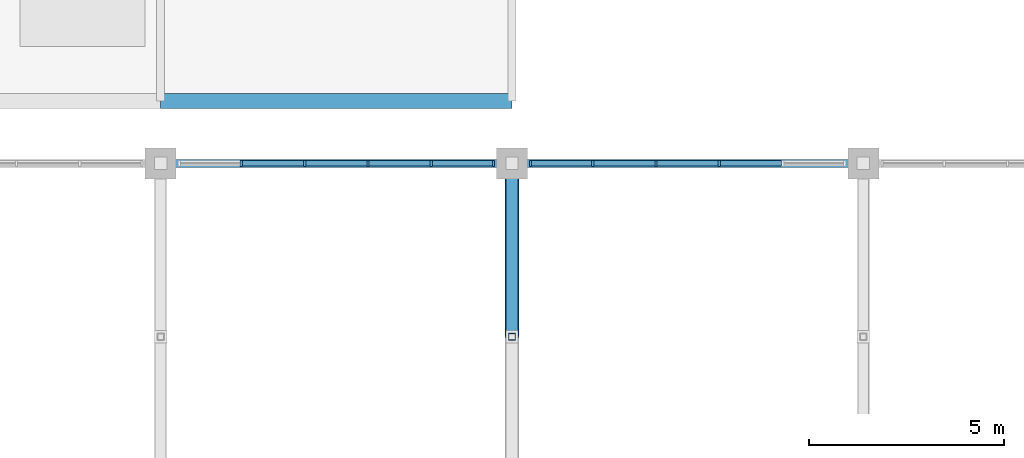
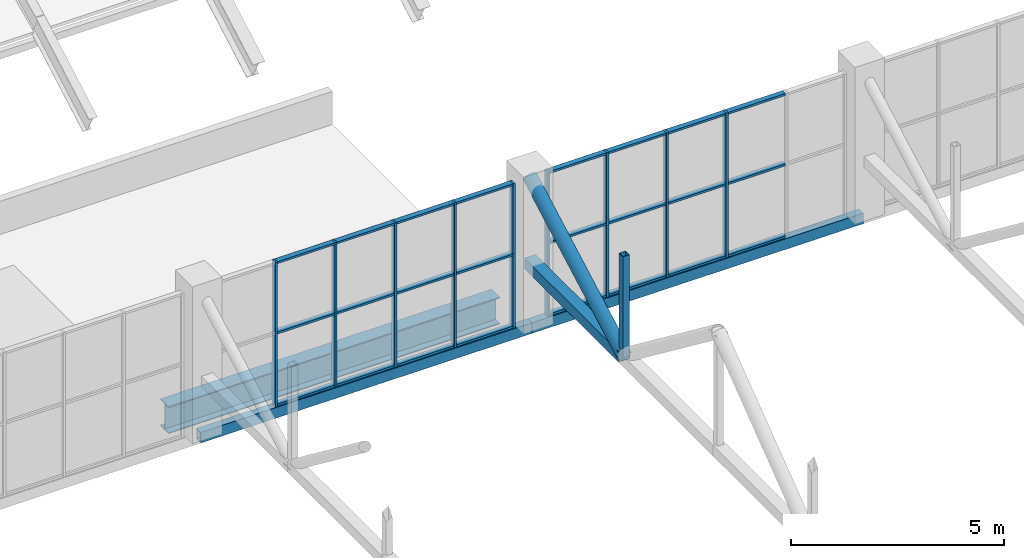
# One storey, part 57 of 103: 36 members, 3 beams, 2 elements without a shape of their own.
"""IFC4 building model written with IfcOpenShell, lengths in metres."""

from ifc_helpers import new_model, si_unit, direction, frame, origin, origin_2d, place, context, subcontext, project, spatial, rectangle, hollow_rectangle, hollow_circle, i_section, extrude, material, layer, layer_set, material_profile, profile_set, type_object, element, aggregate, save


model = new_model("IFC4")

# Units and contexts
model_context = context("Model", 3, precision=1e-05, world=origin(), true_north=direction((0.0, 1.0)))
body_context = subcontext(model_context, "Body", "Model", "MODEL_VIEW")
ifc_project = project(units=[si_unit("LENGTHUNIT", "METRE"), si_unit("AREAUNIT", "SQUARE_METRE"), si_unit("VOLUMEUNIT", "CUBIC_METRE"), si_unit("PLANEANGLEUNIT", "RADIAN"), si_unit("MASSUNIT", "GRAM", prefix="KILO")], contexts=[model_context])

# Site, building, storey
site_placement = place(None, origin())
site = spatial("IfcSite", under=ifc_project, at=site_placement, CompositionType="ELEMENT")
building_placement = place(site_placement, origin())
building = spatial("IfcBuilding", under=site, at=building_placement, Name="Cazmaro Siding Exhibition Halls", CompositionType="ELEMENT")
storey_placement = place(building_placement, frame((0.0, 0.0, 16.5)))
storey = spatial("IfcBuildingStorey", under=building, at=storey_placement, Name="L03", CompositionType="ELEMENT", Elevation=16.5)

# Curtain wall, members
ifc_material_1 = material(Name="Anodized Bronze Aluminum and Solar-Control Low-E Glazing", Category="aluminium")
ifc_layer = layer(ifc_material_1, 0.159912109375)
ifc_layer_set = layer_set([ifc_layer], Name="Anodized Bronze Aluminum and Solar-Control Low-E Glazing")
curtain_wall_type = type_object("IfcCurtainWallType", Name="CWS-04", PredefinedType="USERDEFINED", material=ifc_layer_set)
curtain_wall_1_placement = place(storey_placement, origin())
curtain_wall_1 = element("IfcCurtainWall", 1, at=curtain_wall_1_placement, inside=storey, type_object=curtain_wall_type, Name="Clerestory Curtain Wall CWS-04 CW-097", ObjectType="CLERESTORY CURTAIN WALL", PredefinedType="USERDEFINED")
ifc_material_2 = material(Name="Anodized Bronze Extruded Aluminum", Category="aluminium")
ifc_material_profile_1 = material_profile(ifc_material_2, rectangle(XDim=0.159912109375, YDim=0.06005859375, at=origin_2d()), Name="CWM-04")
ifc_profile_set_1 = profile_set([ifc_material_profile_1], Name="Anodized Bronze Extruded Aluminum")
member_type_1 = type_object("IfcMemberType", Name="CWM-04", PredefinedType="MULLION", material=ifc_profile_set_1)
member_1_placement = place(storey_placement, frame((152.52490234375, 53.60009765625, 0.0), z_axis=(0.0, 0.0, 1.0), x_axis=(0.0, -1.0, 0.0)))
member_1 = element("IfcMember", 2, at=member_1_placement, type_object=member_type_1, Name="CWS-04 mullion 1", PredefinedType="MULLION", context=body_context, shape_type="SweptSolid", body=[
    extrude(rectangle(XDim=0.159912109375, YDim=0.06005859375, at=origin_2d()), origin(), (0.0, 0.0, 1.0), 4.14990234375),
])
member_2_placement = place(storey_placement, frame((150.93310546875, 53.60009765625, 0.0), z_axis=(0.0, 0.0, 1.0), x_axis=(0.0, -1.0, 0.0)))
member_2 = element("IfcMember", 3, at=member_2_placement, type_object=member_type_1, Name="CWS-04 mullion 2", PredefinedType="MULLION", context=body_context, shape_type="SweptSolid", body=[
    extrude(rectangle(XDim=0.159912109375, YDim=0.06005859375, at=origin_2d()), origin(), (0.0, 0.0, 1.0), 4.14990234375),
])
member_3_placement = place(storey_placement, frame((149.31103515625, 53.60009765625, 0.0), z_axis=(0.0, 0.0, 1.0), x_axis=(0.0, -1.0, 0.0)))
member_3 = element("IfcMember", 4, at=member_3_placement, type_object=member_type_1, Name="CWS-04 mullion 3", PredefinedType="MULLION", context=body_context, shape_type="SweptSolid", body=[
    extrude(rectangle(XDim=0.159912109375, YDim=0.06005859375, at=origin_2d()), origin(), (0.0, 0.0, 1.0), 4.14990234375),
])
member_4_placement = place(storey_placement, frame((147.68896484375, 53.60009765625, 0.0), z_axis=(0.0, 0.0, 1.0), x_axis=(0.0, -1.0, 0.0)))
member_4 = element("IfcMember", 5, at=member_4_placement, type_object=member_type_1, Name="CWS-04 mullion 4", PredefinedType="MULLION", context=body_context, shape_type="SweptSolid", body=[
    extrude(rectangle(XDim=0.159912109375, YDim=0.06005859375, at=origin_2d()), origin(), (0.0, 0.0, 1.0), 4.14990234375),
])
member_5_placement = place(storey_placement, frame((146.06689453125, 53.60009765625, 0.0), z_axis=(0.0, 0.0, 1.0), x_axis=(0.0, -1.0, 0.0)))
member_5 = element("IfcMember", 6, at=member_5_placement, type_object=member_type_1, Name="CWS-04 mullion 5", PredefinedType="MULLION", context=body_context, shape_type="SweptSolid", body=[
    extrude(rectangle(XDim=0.159912109375, YDim=0.06005859375, at=origin_2d()), origin(), (0.0, 0.0, 1.0), 4.14990234375),
])

curtain_wall_2_placement = place(storey_placement, origin())
curtain_wall_2 = element("IfcCurtainWall", 7, at=curtain_wall_2_placement, inside=storey, type_object=curtain_wall_type, Name="Clerestory Curtain Wall CWS-04 CW-099", ObjectType="CLERESTORY CURTAIN WALL", PredefinedType="USERDEFINED")
member_6_placement = place(storey_placement, frame((158.31103515625, 53.60009765625, 0.0), z_axis=(0.0, 0.0, 1.0), x_axis=(0.0, -1.0, 0.0)))
member_6 = element("IfcMember", 8, at=member_6_placement, type_object=member_type_1, Name="CWS-04 mullion 3", PredefinedType="MULLION", context=body_context, shape_type="SweptSolid", body=[
    extrude(rectangle(XDim=0.159912109375, YDim=0.06005859375, at=origin_2d()), origin(), (0.0, 0.0, 1.0), 4.14990234375),
])
member_7_placement = place(storey_placement, frame((156.68896484375, 53.60009765625, 0.0), z_axis=(0.0, 0.0, 1.0), x_axis=(0.0, -1.0, 0.0)))
member_7 = element("IfcMember", 9, at=member_7_placement, type_object=member_type_1, Name="CWS-04 mullion 4", PredefinedType="MULLION", context=body_context, shape_type="SweptSolid", body=[
    extrude(rectangle(XDim=0.159912109375, YDim=0.06005859375, at=origin_2d()), origin(), (0.0, 0.0, 1.0), 4.14990234375),
])
member_8_placement = place(storey_placement, frame((155.06689453125, 53.60009765625, 0.0), z_axis=(0.0, 0.0, 1.0), x_axis=(0.0, -1.0, 0.0)))
member_8 = element("IfcMember", 10, at=member_8_placement, type_object=member_type_1, Name="CWS-04 mullion 5", PredefinedType="MULLION", context=body_context, shape_type="SweptSolid", body=[
    extrude(rectangle(XDim=0.159912109375, YDim=0.06005859375, at=origin_2d()), origin(), (0.0, 0.0, 1.0), 4.14990234375),
])
member_9_placement = place(storey_placement, frame((153.47509765625, 53.60009765625, 0.0), z_axis=(0.0, 0.0, 1.0), x_axis=(0.0, -1.0, 0.0)))
member_9 = element("IfcMember", 11, at=member_9_placement, type_object=member_type_1, Name="CWS-04 mullion 6", PredefinedType="MULLION", context=body_context, shape_type="SweptSolid", body=[
    extrude(rectangle(XDim=0.159912109375, YDim=0.06005859375, at=origin_2d()), origin(), (0.0, 0.0, 1.0), 4.14990234375),
])

# Member
ifc_material_3 = material(Name="Anodized Bronze Extruded Aluminum", Category="aluminium")
ifc_material_profile_2 = material_profile(ifc_material_3, rectangle(XDim=0.139892578125, YDim=0.06005859375, at=origin_2d()), Name="CWT-04")
ifc_profile_set_2 = profile_set([ifc_material_profile_2], Name="Anodized Bronze Extruded Aluminum")
member_type_2 = type_object("IfcMemberType", Name="CWT-04", PredefinedType="MULLION", material=ifc_profile_set_2)
member_10_placement = place(storey_placement, frame((152.4951171875, 53.60009765625, 0.030029296875), z_axis=(-1.0, 0.0, 0.0), x_axis=(0.0, -1.0, 0.0)))
member_10 = element("IfcMember", 12, at=member_10_placement, type_object=member_type_2, Name="CWS-04 transom 1.1", ObjectType="TRANSOM", PredefinedType="USERDEFINED", context=body_context, shape_type="SweptSolid", body=[
    extrude(rectangle(XDim=0.139892578125, YDim=0.06005859375, at=origin_2d()), origin(), (0.0, 0.0, 1.0), 1.5322265625),
])

member_11_placement = place(storey_placement, frame((152.4951171875, 53.60009765625, 2.10009765625), z_axis=(-1.0, 0.0, 0.0), x_axis=(0.0, -1.0, 0.0)))
member_11 = element("IfcMember", 13, at=member_11_placement, type_object=member_type_2, Name="CWS-04 transom 1.2", ObjectType="TRANSOM", PredefinedType="USERDEFINED", context=body_context, shape_type="SweptSolid", body=[
    extrude(rectangle(XDim=0.139892578125, YDim=0.06005859375, at=origin_2d()), origin(), (0.0, 0.0, 1.0), 1.5322265625),
])

member_12_placement = place(storey_placement, frame((152.4951171875, 53.60009765625, 4.1201171875), z_axis=(-1.0, 0.0, 0.0), x_axis=(0.0, -1.0, 0.0)))
member_12 = element("IfcMember", 14, at=member_12_placement, type_object=member_type_2, Name="CWS-04 transom 1.3", ObjectType="TRANSOM", PredefinedType="USERDEFINED", context=body_context, shape_type="SweptSolid", body=[
    extrude(rectangle(XDim=0.139892578125, YDim=0.06005859375, at=origin_2d()), origin(), (0.0, 0.0, 1.0), 1.5322265625),
])

member_13_placement = place(storey_placement, frame((150.903076171875, 53.60009765625, 0.030029296875), z_axis=(-1.0, 0.0, 0.0), x_axis=(0.0, -1.0, 0.0)))
member_13 = element("IfcMember", 15, at=member_13_placement, type_object=member_type_2, Name="CWS-04 transom 2.1", ObjectType="TRANSOM", PredefinedType="USERDEFINED", context=body_context, shape_type="SweptSolid", body=[
    extrude(rectangle(XDim=0.139892578125, YDim=0.06005859375, at=origin_2d()), origin(), (0.0, 0.0, 1.0), 1.56201171875),
])

member_14_placement = place(storey_placement, frame((150.903076171875, 53.60009765625, 2.10009765625), z_axis=(-1.0, 0.0, 0.0), x_axis=(0.0, -1.0, 0.0)))
member_14 = element("IfcMember", 16, at=member_14_placement, type_object=member_type_2, Name="CWS-04 transom 2.2", ObjectType="TRANSOM", PredefinedType="USERDEFINED", context=body_context, shape_type="SweptSolid", body=[
    extrude(rectangle(XDim=0.139892578125, YDim=0.06005859375, at=origin_2d()), origin(), (0.0, 0.0, 1.0), 1.56201171875),
])

member_15_placement = place(storey_placement, frame((150.903076171875, 53.60009765625, 4.1201171875), z_axis=(-1.0, 0.0, 0.0), x_axis=(0.0, -1.0, 0.0)))
member_15 = element("IfcMember", 17, at=member_15_placement, type_object=member_type_2, Name="CWS-04 transom 2.3", ObjectType="TRANSOM", PredefinedType="USERDEFINED", context=body_context, shape_type="SweptSolid", body=[
    extrude(rectangle(XDim=0.139892578125, YDim=0.06005859375, at=origin_2d()), origin(), (0.0, 0.0, 1.0), 1.56201171875),
])

member_16_placement = place(storey_placement, frame((149.281005859375, 53.60009765625, 0.030029296875), z_axis=(-1.0, 0.0, 0.0), x_axis=(0.0, -1.0, 0.0)))
member_16 = element("IfcMember", 18, at=member_16_placement, type_object=member_type_2, Name="CWS-04 transom 3.1", ObjectType="TRANSOM", PredefinedType="USERDEFINED", context=body_context, shape_type="SweptSolid", body=[
    extrude(rectangle(XDim=0.139892578125, YDim=0.06005859375, at=origin_2d()), origin(), (0.0, 0.0, 1.0), 1.56201171875),
])

member_17_placement = place(storey_placement, frame((149.281005859375, 53.60009765625, 2.10009765625), z_axis=(-1.0, 0.0, 0.0), x_axis=(0.0, -1.0, 0.0)))
member_17 = element("IfcMember", 19, at=member_17_placement, type_object=member_type_2, Name="CWS-04 transom 3.2", ObjectType="TRANSOM", PredefinedType="USERDEFINED", context=body_context, shape_type="SweptSolid", body=[
    extrude(rectangle(XDim=0.139892578125, YDim=0.06005859375, at=origin_2d()), origin(), (0.0, 0.0, 1.0), 1.56201171875),
])

member_18_placement = place(storey_placement, frame((149.281005859375, 53.60009765625, 4.1201171875), z_axis=(-1.0, 0.0, 0.0), x_axis=(0.0, -1.0, 0.0)))
member_18 = element("IfcMember", 20, at=member_18_placement, type_object=member_type_2, Name="CWS-04 transom 3.3", ObjectType="TRANSOM", PredefinedType="USERDEFINED", context=body_context, shape_type="SweptSolid", body=[
    extrude(rectangle(XDim=0.139892578125, YDim=0.06005859375, at=origin_2d()), origin(), (0.0, 0.0, 1.0), 1.56201171875),
])

member_19_placement = place(storey_placement, frame((147.658935546875, 53.60009765625, 0.030029296875), z_axis=(-1.0, 0.0, 0.0), x_axis=(0.0, -1.0, 0.0)))
member_19 = element("IfcMember", 21, at=member_19_placement, type_object=member_type_2, Name="CWS-04 transom 4.1", ObjectType="TRANSOM", PredefinedType="USERDEFINED", context=body_context, shape_type="SweptSolid", body=[
    extrude(rectangle(XDim=0.139892578125, YDim=0.06005859375, at=origin_2d()), origin(), (0.0, 0.0, 1.0), 1.56201171875),
])

member_20_placement = place(storey_placement, frame((147.658935546875, 53.60009765625, 2.10009765625), z_axis=(-1.0, 0.0, 0.0), x_axis=(0.0, -1.0, 0.0)))
member_20 = element("IfcMember", 22, at=member_20_placement, type_object=member_type_2, Name="CWS-04 transom 4.2", ObjectType="TRANSOM", PredefinedType="USERDEFINED", context=body_context, shape_type="SweptSolid", body=[
    extrude(rectangle(XDim=0.139892578125, YDim=0.06005859375, at=origin_2d()), origin(), (0.0, 0.0, 1.0), 1.56201171875),
])

member_21_placement = place(storey_placement, frame((147.658935546875, 53.60009765625, 4.1201171875), z_axis=(-1.0, 0.0, 0.0), x_axis=(0.0, -1.0, 0.0)))
member_21 = element("IfcMember", 23, at=member_21_placement, type_object=member_type_2, Name="CWS-04 transom 4.3", ObjectType="TRANSOM", PredefinedType="USERDEFINED", context=body_context, shape_type="SweptSolid", body=[
    extrude(rectangle(XDim=0.139892578125, YDim=0.06005859375, at=origin_2d()), origin(), (0.0, 0.0, 1.0), 1.56201171875),
])

aggregate(curtain_wall_1, [member_1, member_2, member_3, member_4, member_5, member_10, member_11, member_12, member_13, member_14, member_15, member_16, member_17, member_18, member_19, member_20, member_21])

member_22_placement = place(storey_placement, frame((159.903076171875, 53.60009765625, 0.030029296875), z_axis=(-1.0, 0.0, 0.0), x_axis=(0.0, -1.0, 0.0)))
member_22 = element("IfcMember", 24, at=member_22_placement, type_object=member_type_2, Name="CWS-04 transom 2.1", ObjectType="TRANSOM", PredefinedType="USERDEFINED", context=body_context, shape_type="SweptSolid", body=[
    extrude(rectangle(XDim=0.139892578125, YDim=0.06005859375, at=origin_2d()), origin(), (0.0, 0.0, 1.0), 1.56201171875),
])

member_23_placement = place(storey_placement, frame((159.903076171875, 53.60009765625, 2.10009765625), z_axis=(-1.0, 0.0, 0.0), x_axis=(0.0, -1.0, 0.0)))
member_23 = element("IfcMember", 25, at=member_23_placement, type_object=member_type_2, Name="CWS-04 transom 2.2", ObjectType="TRANSOM", PredefinedType="USERDEFINED", context=body_context, shape_type="SweptSolid", body=[
    extrude(rectangle(XDim=0.139892578125, YDim=0.06005859375, at=origin_2d()), origin(), (0.0, 0.0, 1.0), 1.56201171875),
])

member_24_placement = place(storey_placement, frame((159.903076171875, 53.60009765625, 4.1201171875), z_axis=(-1.0, 0.0, 0.0), x_axis=(0.0, -1.0, 0.0)))
member_24 = element("IfcMember", 26, at=member_24_placement, type_object=member_type_2, Name="CWS-04 transom 2.3", ObjectType="TRANSOM", PredefinedType="USERDEFINED", context=body_context, shape_type="SweptSolid", body=[
    extrude(rectangle(XDim=0.139892578125, YDim=0.06005859375, at=origin_2d()), origin(), (0.0, 0.0, 1.0), 1.56201171875),
])

member_25_placement = place(storey_placement, frame((158.281005859375, 53.60009765625, 0.030029296875), z_axis=(-1.0, 0.0, 0.0), x_axis=(0.0, -1.0, 0.0)))
member_25 = element("IfcMember", 27, at=member_25_placement, type_object=member_type_2, Name="CWS-04 transom 3.1", ObjectType="TRANSOM", PredefinedType="USERDEFINED", context=body_context, shape_type="SweptSolid", body=[
    extrude(rectangle(XDim=0.139892578125, YDim=0.06005859375, at=origin_2d()), origin(), (0.0, 0.0, 1.0), 1.56201171875),
])

member_26_placement = place(storey_placement, frame((158.281005859375, 53.60009765625, 2.10009765625), z_axis=(-1.0, 0.0, 0.0), x_axis=(0.0, -1.0, 0.0)))
member_26 = element("IfcMember", 28, at=member_26_placement, type_object=member_type_2, Name="CWS-04 transom 3.2", ObjectType="TRANSOM", PredefinedType="USERDEFINED", context=body_context, shape_type="SweptSolid", body=[
    extrude(rectangle(XDim=0.139892578125, YDim=0.06005859375, at=origin_2d()), origin(), (0.0, 0.0, 1.0), 1.56201171875),
])

member_27_placement = place(storey_placement, frame((158.281005859375, 53.60009765625, 4.1201171875), z_axis=(-1.0, 0.0, 0.0), x_axis=(0.0, -1.0, 0.0)))
member_27 = element("IfcMember", 29, at=member_27_placement, type_object=member_type_2, Name="CWS-04 transom 3.3", ObjectType="TRANSOM", PredefinedType="USERDEFINED", context=body_context, shape_type="SweptSolid", body=[
    extrude(rectangle(XDim=0.139892578125, YDim=0.06005859375, at=origin_2d()), origin(), (0.0, 0.0, 1.0), 1.56201171875),
])

member_28_placement = place(storey_placement, frame((156.658935546875, 53.60009765625, 0.030029296875), z_axis=(-1.0, 0.0, 0.0), x_axis=(0.0, -1.0, 0.0)))
member_28 = element("IfcMember", 30, at=member_28_placement, type_object=member_type_2, Name="CWS-04 transom 4.1", ObjectType="TRANSOM", PredefinedType="USERDEFINED", context=body_context, shape_type="SweptSolid", body=[
    extrude(rectangle(XDim=0.139892578125, YDim=0.06005859375, at=origin_2d()), origin(), (0.0, 0.0, 1.0), 1.56201171875),
])

member_29_placement = place(storey_placement, frame((156.658935546875, 53.60009765625, 2.10009765625), z_axis=(-1.0, 0.0, 0.0), x_axis=(0.0, -1.0, 0.0)))
member_29 = element("IfcMember", 31, at=member_29_placement, type_object=member_type_2, Name="CWS-04 transom 4.2", ObjectType="TRANSOM", PredefinedType="USERDEFINED", context=body_context, shape_type="SweptSolid", body=[
    extrude(rectangle(XDim=0.139892578125, YDim=0.06005859375, at=origin_2d()), origin(), (0.0, 0.0, 1.0), 1.56201171875),
])

member_30_placement = place(storey_placement, frame((156.658935546875, 53.60009765625, 4.1201171875), z_axis=(-1.0, 0.0, 0.0), x_axis=(0.0, -1.0, 0.0)))
member_30 = element("IfcMember", 32, at=member_30_placement, type_object=member_type_2, Name="CWS-04 transom 4.3", ObjectType="TRANSOM", PredefinedType="USERDEFINED", context=body_context, shape_type="SweptSolid", body=[
    extrude(rectangle(XDim=0.139892578125, YDim=0.06005859375, at=origin_2d()), origin(), (0.0, 0.0, 1.0), 1.56201171875),
])

member_31_placement = place(storey_placement, frame((155.037109375, 53.60009765625, 0.030029296875), z_axis=(-1.0, 0.0, 0.0), x_axis=(0.0, -1.0, 0.0)))
member_31 = element("IfcMember", 33, at=member_31_placement, type_object=member_type_2, Name="CWS-04 transom 5.1", ObjectType="TRANSOM", PredefinedType="USERDEFINED", context=body_context, shape_type="SweptSolid", body=[
    extrude(rectangle(XDim=0.139892578125, YDim=0.06005859375, at=origin_2d()), origin(), (0.0, 0.0, 1.0), 1.5322265625),
])

member_32_placement = place(storey_placement, frame((155.037109375, 53.60009765625, 2.10009765625), z_axis=(-1.0, 0.0, 0.0), x_axis=(0.0, -1.0, 0.0)))
member_32 = element("IfcMember", 34, at=member_32_placement, type_object=member_type_2, Name="CWS-04 transom 5.2", ObjectType="TRANSOM", PredefinedType="USERDEFINED", context=body_context, shape_type="SweptSolid", body=[
    extrude(rectangle(XDim=0.139892578125, YDim=0.06005859375, at=origin_2d()), origin(), (0.0, 0.0, 1.0), 1.5322265625),
])

member_33_placement = place(storey_placement, frame((155.037109375, 53.60009765625, 4.1201171875), z_axis=(-1.0, 0.0, 0.0), x_axis=(0.0, -1.0, 0.0)))
member_33 = element("IfcMember", 35, at=member_33_placement, type_object=member_type_2, Name="CWS-04 transom 5.3", ObjectType="TRANSOM", PredefinedType="USERDEFINED", context=body_context, shape_type="SweptSolid", body=[
    extrude(rectangle(XDim=0.139892578125, YDim=0.06005859375, at=origin_2d()), origin(), (0.0, 0.0, 1.0), 1.5322265625),
])

aggregate(curtain_wall_2, [member_6, member_7, member_8, member_9, member_22, member_23, member_24, member_25, member_26, member_27, member_28, member_29, member_30, member_31, member_32, member_33])

# Beams
ifc_material_4 = material(Name="Steel ASTM A992 Grade 50", Category="steel")
ifc_material_profile_3 = material_profile(ifc_material_4, i_section(OverallWidth=0.381103515625, OverallDepth=0.779052734375, WebThickness=0.01806640625, FlangeThickness=0.030029296875, at=origin_2d()), Name="W30X191")
ifc_profile_set_3 = profile_set([ifc_material_profile_3], Name="Steel ASTM A992 Grade 50")
beam_type_1 = type_object("IfcBeamType", Name="G-04", PredefinedType="USERDEFINED", material=ifc_profile_set_3)
beam_placement = place(storey_placement, frame((144.0, 55.199951171875, -0.56494140625), z_axis=(1.0, 0.0, 0.0), x_axis=(0.0, 1.0, 0.0)))
element("IfcBeam", 36, at=beam_placement, inside=storey, type_object=beam_type_1, Name="Beam G-04 BM-1675", ObjectType="GIRDER", PredefinedType="USERDEFINED", context=body_context, shape_type="SweptSolid", body=[
    extrude(i_section(OverallWidth=0.381103515625, OverallDepth=0.779052734375, WebThickness=0.01806640625, FlangeThickness=0.030029296875, at=origin_2d()), origin(), (0.0, 0.0, 1.0), 9.0),
])
ifc_material_5 = material(Name="Steel ASTM A500 Grade C", Category="steel")
ifc_material_profile_4 = material_profile(ifc_material_5, hollow_rectangle(XDim=0.202880859375, YDim=0.304931640625, WallThickness=0.011962890625, at=origin_2d()), Name="HSS12X8X1/2")
ifc_profile_set_4 = profile_set([ifc_material_profile_4], Name="Steel ASTM A500 Grade C")
beam_type_2 = type_object("IfcBeamType", Name="SP-01", PredefinedType="SPANDREL", material=ifc_profile_set_4)
for number, where, z_axis, x_axis, name in (
    (37, (144.0, 53.60009765625, -0.152099609375), (1.0, 0.0, 0.0), (0.0, 1.0, 0.0), "Beam SP-01 BM-1517"),
    (38, (153.0, 53.60009765625, -0.152099609375), (1.0, 0.0, 0.0), (0.0, 1.0, 0.0), "Beam SP-01 BM-1521"),
):
    element("IfcBeam", number, at=place(storey_placement, frame(where, z_axis=z_axis, x_axis=x_axis)), inside=storey, type_object=beam_type_2, Name=name, PredefinedType="SPANDREL", context=body_context, shape_type="SweptSolid", body=[
        extrude(hollow_rectangle(XDim=0.202880859375, YDim=0.304931640625, WallThickness=0.011962890625, at=origin_2d()), origin(), (0.0, 0.0, 1.0), 9.0),
    ])

# Members
ifc_material_6 = material(Name="Steel ASTM A500 Grade C", Category="steel")
ifc_material_profile_5 = material_profile(ifc_material_6, hollow_rectangle(XDim=0.304931640625, YDim=0.304931640625, WallThickness=0.014892578125, at=origin_2d()), Name="HSS12X12X5/8")
ifc_profile_set_5 = profile_set([ifc_material_profile_5], Name="Steel ASTM A500 Grade C")
member_type_3 = type_object("IfcMemberType", Name="TC-02", PredefinedType="CHORD", material=ifc_profile_set_5)
member_34_placement = place(storey_placement, frame((153.0, 49.1650390625, 1.699951171875), z_axis=(0.0, 1.0, 0.0), x_axis=(-1.0, 0.0, 0.0)))
element("IfcMember", 39, at=member_34_placement, inside=storey, type_object=member_type_3, Name="Warren roof truss bottom chord TC-02 MEM-2681", PredefinedType="CHORD", context=body_context, shape_type="SweptSolid", body=[
    extrude(hollow_rectangle(XDim=0.304931640625, YDim=0.304931640625, WallThickness=0.014892578125, at=origin_2d()), origin(), (0.0, 0.0, 1.0), 4.43505859375),
])
ifc_material_7 = material(Name="Steel ASTM A500 Grade C", Category="steel")
ifc_material_profile_6 = material_profile(ifc_material_7, hollow_rectangle(XDim=0.177978515625, YDim=0.177978515625, WallThickness=0.011962890625, at=origin_2d()), Name="HSS7X7X1/2")
ifc_profile_set_6 = profile_set([ifc_material_profile_6], Name="Steel ASTM A500 Grade C")
member_type_4 = type_object("IfcMemberType", Name="TP-02", PredefinedType="POST", material=ifc_profile_set_6)
member_35_placement = place(storey_placement, frame((153.0, 49.1650390625, 1.699951171875), z_axis=(0.0, 0.0, 1.0), x_axis=(1.0, 0.0, 0.0)))
element("IfcMember", 40, at=member_35_placement, inside=storey, type_object=member_type_4, Name="Warren roof truss vertical TP-02 MEM-2691", PredefinedType="POST", context=body_context, shape_type="SweptSolid", body=[
    extrude(hollow_rectangle(XDim=0.177978515625, YDim=0.177978515625, WallThickness=0.011962890625, at=origin_2d()), origin(), (0.0, 0.0, 1.0), 2.906005859375),
])
ifc_material_8 = material(Name="Steel ASTM A500 Grade C", Category="steel")
ifc_material_profile_7 = material_profile(ifc_material_8, hollow_circle(Radius=0.177978515625, WallThickness=0.012939453125, at=origin_2d()), Name="PIPE14XS")
ifc_profile_set_7 = profile_set([ifc_material_profile_7], Name="Steel ASTM A500 Grade C")
member_type_5 = type_object("IfcMemberType", Name="WB-06", PredefinedType="BRACE", material=ifc_profile_set_7)
member_36_placement = place(storey_placement, frame((153.0, 49.1650390625, 1.699951171875), z_axis=(0.0, 0.876160914294, 0.482018726051), x_axis=(-1.0, 0.0, 0.0)))
element("IfcMember", 41, at=member_36_placement, inside=storey, type_object=member_type_5, Name="Warren roof truss diagonal WB-06 MEM-2682", PredefinedType="BRACE", context=body_context, shape_type="SweptSolid", body=[
    extrude(hollow_circle(Radius=0.177978515625, WallThickness=0.012939453125, at=origin_2d()), origin(), (0.0, 0.0, 1.0), 5.06201171875),
])

save(model, "model.ifc")
